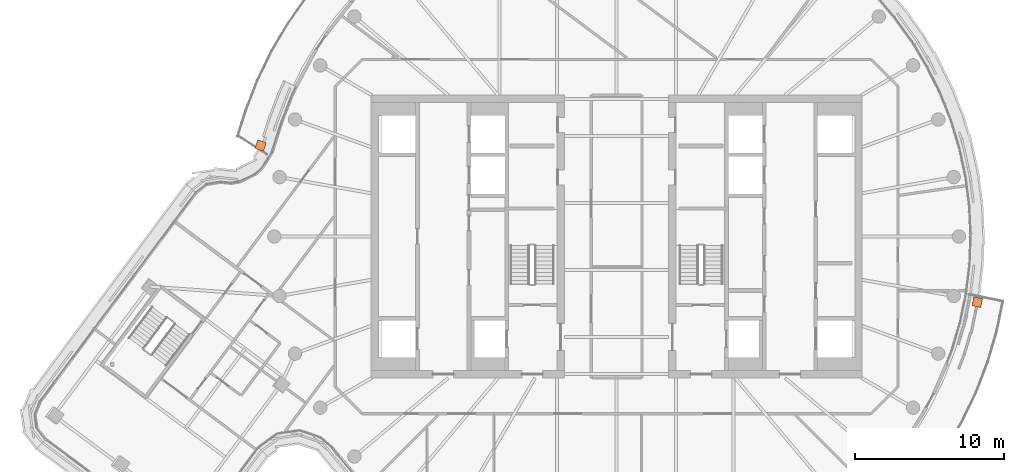
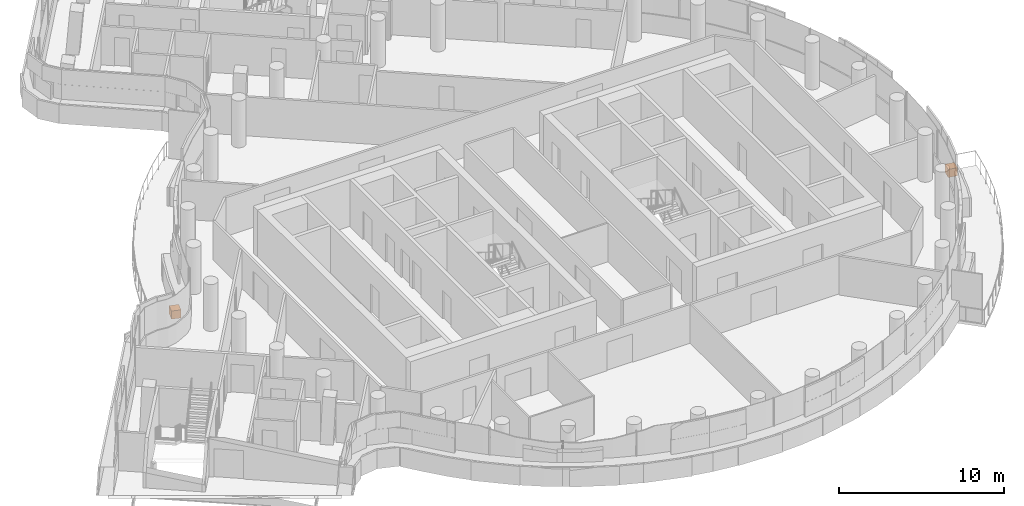
# One storey, part 27 of 27: 2 proxies.
"""IFC4 building model written with IfcOpenShell, lengths in metres."""

from ifc_helpers import new_model, si_unit, direction, frame, origin, origin_2d, place, context, subcontext, project, spatial, rectangle, extrude, material, type_object, element, save


model = new_model("IFC4")

# Units and contexts
model_context = context("Model", 3, precision=1e-05, world=origin(), true_north=direction((0.0, 1.0)))
body_context = subcontext(model_context, "Body", "Model", "MODEL_VIEW")
ifc_project = project(units=[si_unit("LENGTHUNIT", "METRE"), si_unit("AREAUNIT", "SQUARE_METRE"), si_unit("VOLUMEUNIT", "CUBIC_METRE"), si_unit("PLANEANGLEUNIT", "RADIAN"), si_unit("MASSUNIT", "GRAM", prefix="KILO")], contexts=[model_context])

# Site, building, storey
site_placement = place(None, origin())
site = spatial("IfcSite", under=ifc_project, at=site_placement, CompositionType="ELEMENT")
building_placement = place(site_placement, origin())
building = spatial("IfcBuilding", under=site, at=building_placement, Name="Tamarind Cross Interchange Tower", CompositionType="ELEMENT")
storey_placement = place(building_placement, frame((0.0, 0.0, 227.10009765625)))
storey = spatial("IfcBuildingStorey", under=building, at=storey_placement, Name="L57", CompositionType="ELEMENT", Elevation=227.10009765625)

# Proxies
ifc_material = material(Name="Concrete C30", Category="concrete")
building_element_proxy_type = type_object("IfcBuildingElementProxyType", Name="Planter", PredefinedType="USERDEFINED", material=ifc_material)
proxy_1_placement = place(storey_placement, origin())
element("IfcBuildingElementProxy", 1, at=proxy_1_placement, inside=storey, type_object=building_element_proxy_type, Name="PLT-L57-BAL02", ObjectType="Planter", PredefinedType="USERDEFINED", context=body_context, shape_type="SweptSolid", body=[
    extrude(rectangle(XDim=0.60009765625, YDim=0.60009765625, at=origin_2d()), frame((24.2333984375, -4.41162109375, -0.000244140625), z_axis=(0.0, 0.0, 1.0), x_axis=(0.201001463943, 0.9795909409, 0.0)), (0.0, 0.0, 1.0), 0.60009765625),
])
proxy_2_placement = place(storey_placement, origin())
element("IfcBuildingElementProxy", 2, at=proxy_2_placement, inside=storey, type_object=building_element_proxy_type, Name="PLT-L57-BAL06", ObjectType="Planter", PredefinedType="USERDEFINED", context=body_context, shape_type="SweptSolid", body=[
    extrude(rectangle(XDim=0.60009765625, YDim=0.60009765625, at=origin_2d()), frame((-23.920166015625, 6.113525390625, -0.000244140625), z_axis=(0.0, 0.0, 1.0), x_axis=(-0.302552246767, -0.953132801857, 0.0)), (0.0, 0.0, 1.0), 0.60009765625),
])

save(model, "model.ifc")
